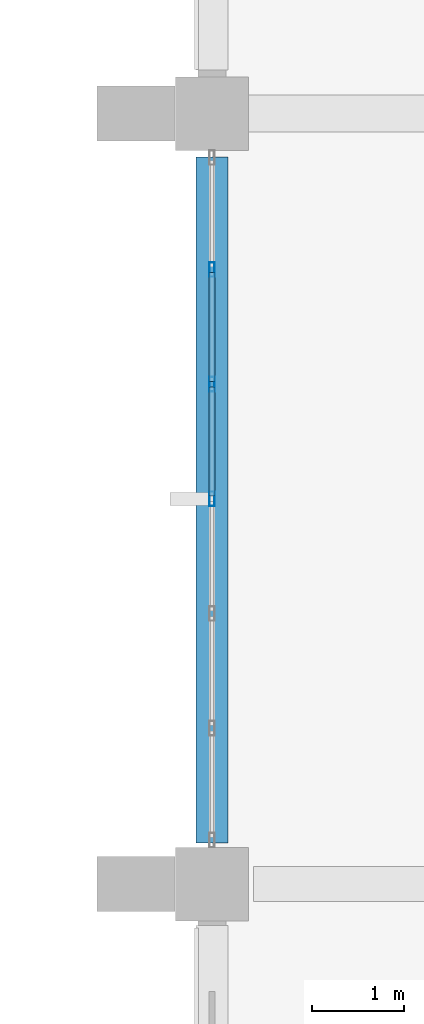
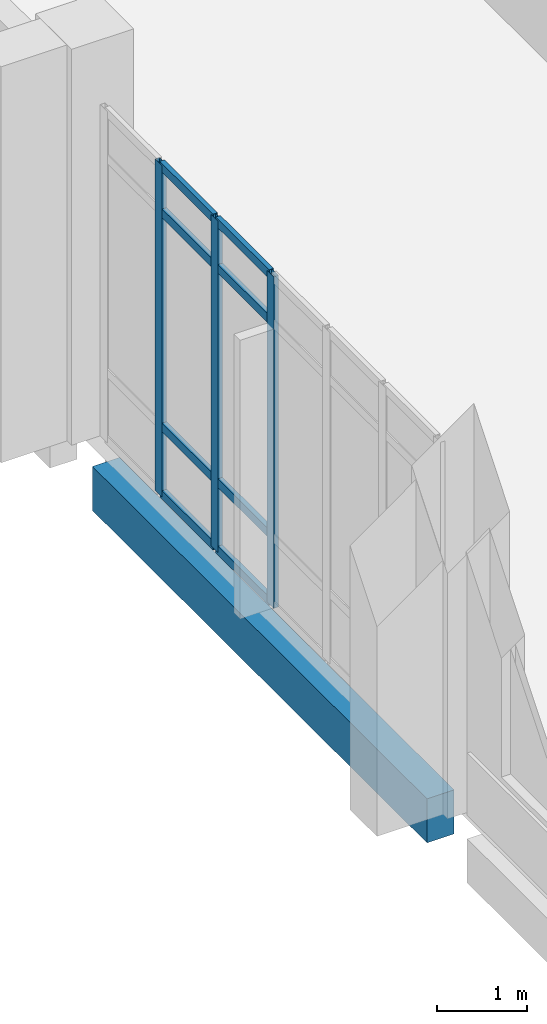
# One storey, part 38 of 110: 11 members, 1 beam, 1 element without a shape of its own.
"""IFC4 building model written with IfcOpenShell, lengths in metres."""

from ifc_helpers import new_model, si_unit, direction, frame, origin, origin_2d, place, context, subcontext, project, spatial, rectangle, hollow_rectangle, extrude, material, material_profile, profile_set, type_object, element, aggregate, save


model = new_model("IFC4")

# Units and contexts
model_context = context("Model", 3, precision=1e-05, world=origin(), true_north=direction((0.0, 1.0)))
body_context = subcontext(model_context, "Body", "Model", "MODEL_VIEW")
ifc_project = project(units=[si_unit("LENGTHUNIT", "METRE"), si_unit("AREAUNIT", "SQUARE_METRE"), si_unit("VOLUMEUNIT", "CUBIC_METRE"), si_unit("PLANEANGLEUNIT", "RADIAN"), si_unit("MASSUNIT", "GRAM", prefix="KILO")], contexts=[model_context])

# Site, building, storey
site_placement = place(None, origin())
site = spatial("IfcSite", under=ifc_project, at=site_placement, CompositionType="ELEMENT")
building_placement = place(site_placement, origin())
building = spatial("IfcBuilding", under=site, at=building_placement, Name="Kalluvel Institute of Natural Sciences", CompositionType="ELEMENT")
storey_placement = place(building_placement, origin())
storey = spatial("IfcBuildingStorey", under=building, at=storey_placement, Name="L00", CompositionType="ELEMENT", Elevation=0.0)

# Curtain wall, members
ifc_material_1 = material(Name="Aluminium AW-6063 T6", Category="aluminium")
curtain_wall_type = type_object("IfcCurtainWallType", Name="CW-DRY-54", PredefinedType="USERDEFINED", material=ifc_material_1)
curtain_wall_placement = place(storey_placement, origin())
curtain_wall = element("IfcCurtainWall", 1, at=curtain_wall_placement, inside=storey, type_object=curtain_wall_type, Name="L00 Gothic lancet curtain wall CWA-L00-X140-Y864", ObjectType="UNITISED LANCET FACADE", PredefinedType="USERDEFINED")
ifc_material_profile_1 = material_profile(ifc_material_1, hollow_rectangle(XDim=0.06005859375, YDim=0.159912109375, WallThickness=0.00390625, at=origin_2d()), Name="CWM 60x160")
ifc_profile_set_1 = profile_set([ifc_material_profile_1], Name="Aluminium AW-6063 T6")
member_type_1 = type_object("IfcMemberType", Name="CWM-60x160", PredefinedType="MULLION", material=ifc_profile_set_1)
member_1_placement = place(storey_placement, frame((14.0, 90.199951171875, 0.0), z_axis=(0.0, 0.0, 1.0), x_axis=(-1.0, 0.0, 0.0)))
member_1 = element("IfcMember", 2, at=member_1_placement, type_object=member_type_1, Name="CW-04 mullion 4", PredefinedType="MULLION", context=body_context, shape_type="SweptSolid", body=[
    extrude(hollow_rectangle(XDim=0.06005859375, YDim=0.159912109375, WallThickness=0.00390625, at=origin_2d()), origin(), (0.0, 0.0, 1.0), 4.52001953125),
])
member_2_placement = place(storey_placement, frame((14.0, 91.449951171875, 0.0), z_axis=(0.0, 0.0, 1.0), x_axis=(-1.0, 0.0, 0.0)))
member_2 = element("IfcMember", 3, at=member_2_placement, type_object=member_type_1, Name="CW-04 mullion 5", PredefinedType="MULLION", context=body_context, shape_type="SweptSolid", body=[
    extrude(hollow_rectangle(XDim=0.06005859375, YDim=0.159912109375, WallThickness=0.00390625, at=origin_2d()), origin(), (0.0, 0.0, 1.0), 4.52001953125),
])
member_3_placement = place(storey_placement, frame((14.0, 92.699951171875, 0.0), z_axis=(0.0, 0.0, 1.0), x_axis=(-1.0, 0.0, 0.0)))
member_3 = element("IfcMember", 4, at=member_3_placement, type_object=member_type_1, Name="CW-04 mullion 6", PredefinedType="MULLION", context=body_context, shape_type="SweptSolid", body=[
    extrude(hollow_rectangle(XDim=0.06005859375, YDim=0.159912109375, WallThickness=0.00390625, at=origin_2d()), origin(), (0.0, 0.0, 1.0), 4.52001953125),
])
ifc_material_profile_2 = material_profile(ifc_material_1, hollow_rectangle(XDim=0.06005859375, YDim=0.1201171875, WallThickness=0.00390625, at=origin_2d()), Name="CWT 60x120")
ifc_profile_set_2 = profile_set([ifc_material_profile_2], Name="Aluminium AW-6063 T6")
member_type_2 = type_object("IfcMemberType", Name="CWT-60x120", PredefinedType="USERDEFINED", material=ifc_profile_set_2)
member_4_placement = place(storey_placement, frame((14.0, 90.22998046875, 0.030029296875), z_axis=(0.0, 1.0, 0.0), x_axis=(-1.0, 0.0, 0.0)))
member_4 = element("IfcMember", 5, at=member_4_placement, type_object=member_type_2, Name="CW-04 transom 4.1", ObjectType="TRANSOM", PredefinedType="USERDEFINED", context=body_context, shape_type="SweptSolid", body=[
    extrude(hollow_rectangle(XDim=0.06005859375, YDim=0.1201171875, WallThickness=0.00390625, at=origin_2d()), origin(), (0.0, 0.0, 1.0), 1.18994140625),
])
member_5_placement = place(storey_placement, frame((14.0, 90.22998046875, 0.949951171875), z_axis=(0.0, 1.0, 0.0), x_axis=(-1.0, 0.0, 0.0)))
member_5 = element("IfcMember", 6, at=member_5_placement, type_object=member_type_2, Name="CW-04 transom 4.2", ObjectType="TRANSOM", PredefinedType="USERDEFINED", context=body_context, shape_type="SweptSolid", body=[
    extrude(hollow_rectangle(XDim=0.06005859375, YDim=0.1201171875, WallThickness=0.00390625, at=origin_2d()), origin(), (0.0, 0.0, 1.0), 1.18994140625),
])
member_6_placement = place(storey_placement, frame((14.0, 90.22998046875, 3.8701171875), z_axis=(0.0, 1.0, 0.0), x_axis=(-1.0, 0.0, 0.0)))
member_6 = element("IfcMember", 7, at=member_6_placement, type_object=member_type_2, Name="CW-04 transom 4.3", ObjectType="TRANSOM", PredefinedType="USERDEFINED", context=body_context, shape_type="SweptSolid", body=[
    extrude(hollow_rectangle(XDim=0.06005859375, YDim=0.1201171875, WallThickness=0.00390625, at=origin_2d()), origin(), (0.0, 0.0, 1.0), 1.18994140625),
])
member_7_placement = place(storey_placement, frame((14.0, 90.22998046875, 4.489990234375), z_axis=(0.0, 1.0, 0.0), x_axis=(-1.0, 0.0, 0.0)))
member_7 = element("IfcMember", 8, at=member_7_placement, type_object=member_type_2, Name="CW-04 transom 4.4", ObjectType="TRANSOM", PredefinedType="USERDEFINED", context=body_context, shape_type="SweptSolid", body=[
    extrude(hollow_rectangle(XDim=0.06005859375, YDim=0.1201171875, WallThickness=0.00390625, at=origin_2d()), origin(), (0.0, 0.0, 1.0), 1.18994140625),
])
member_8_placement = place(storey_placement, frame((14.0, 91.47998046875, 0.030029296875), z_axis=(0.0, 1.0, 0.0), x_axis=(-1.0, 0.0, 0.0)))
member_8 = element("IfcMember", 9, at=member_8_placement, type_object=member_type_2, Name="CW-04 transom 5.1", ObjectType="TRANSOM", PredefinedType="USERDEFINED", context=body_context, shape_type="SweptSolid", body=[
    extrude(hollow_rectangle(XDim=0.06005859375, YDim=0.1201171875, WallThickness=0.00390625, at=origin_2d()), origin(), (0.0, 0.0, 1.0), 1.18994140625),
])
member_9_placement = place(storey_placement, frame((14.0, 91.47998046875, 0.949951171875), z_axis=(0.0, 1.0, 0.0), x_axis=(-1.0, 0.0, 0.0)))
member_9 = element("IfcMember", 10, at=member_9_placement, type_object=member_type_2, Name="CW-04 transom 5.2", ObjectType="TRANSOM", PredefinedType="USERDEFINED", context=body_context, shape_type="SweptSolid", body=[
    extrude(hollow_rectangle(XDim=0.06005859375, YDim=0.1201171875, WallThickness=0.00390625, at=origin_2d()), origin(), (0.0, 0.0, 1.0), 1.18994140625),
])
member_10_placement = place(storey_placement, frame((14.0, 91.47998046875, 3.8701171875), z_axis=(0.0, 1.0, 0.0), x_axis=(-1.0, 0.0, 0.0)))
member_10 = element("IfcMember", 11, at=member_10_placement, type_object=member_type_2, Name="CW-04 transom 5.3", ObjectType="TRANSOM", PredefinedType="USERDEFINED", context=body_context, shape_type="SweptSolid", body=[
    extrude(hollow_rectangle(XDim=0.06005859375, YDim=0.1201171875, WallThickness=0.00390625, at=origin_2d()), origin(), (0.0, 0.0, 1.0), 1.18994140625),
])
member_11_placement = place(storey_placement, frame((14.0, 91.47998046875, 4.489990234375), z_axis=(0.0, 1.0, 0.0), x_axis=(-1.0, 0.0, 0.0)))
member_11 = element("IfcMember", 12, at=member_11_placement, type_object=member_type_2, Name="CW-04 transom 5.4", ObjectType="TRANSOM", PredefinedType="USERDEFINED", context=body_context, shape_type="SweptSolid", body=[
    extrude(hollow_rectangle(XDim=0.06005859375, YDim=0.1201171875, WallThickness=0.00390625, at=origin_2d()), origin(), (0.0, 0.0, 1.0), 1.18994140625),
])
aggregate(curtain_wall, [member_1, member_2, member_3, member_4, member_5, member_6, member_7, member_8, member_9, member_10, member_11])

# Beam
ifc_material_2 = material(Name="Concrete M40", Category="concrete")
ifc_material_profile_3 = material_profile(ifc_material_2, rectangle(XDim=0.35009765625, YDim=0.60009765625, at=origin_2d()), Name="RCB 350x600")
ifc_profile_set_3 = profile_set([ifc_material_profile_3], Name="Concrete M40")
beam_type = type_object("IfcBeamType", Name="SP-RC350x600", PredefinedType="SPANDREL", material=ifc_profile_set_3)
beam_placement = place(storey_placement, frame((14.0, 86.449951171875, -0.6201171875), z_axis=(0.0, 1.0, 0.0), x_axis=(-1.0, 0.0, 0.0)))
element("IfcBeam", 13, at=beam_placement, inside=storey, type_object=beam_type, Name="L00 girder GIR-L00-NS-X140-Y860", PredefinedType="SPANDREL", context=body_context, shape_type="SweptSolid", body=[
    extrude(rectangle(XDim=0.35009765625, YDim=0.60009765625, at=origin_2d()), origin(), (0.0, 0.0, 1.0), 7.47509765625),
])

save(model, "model.ifc")
